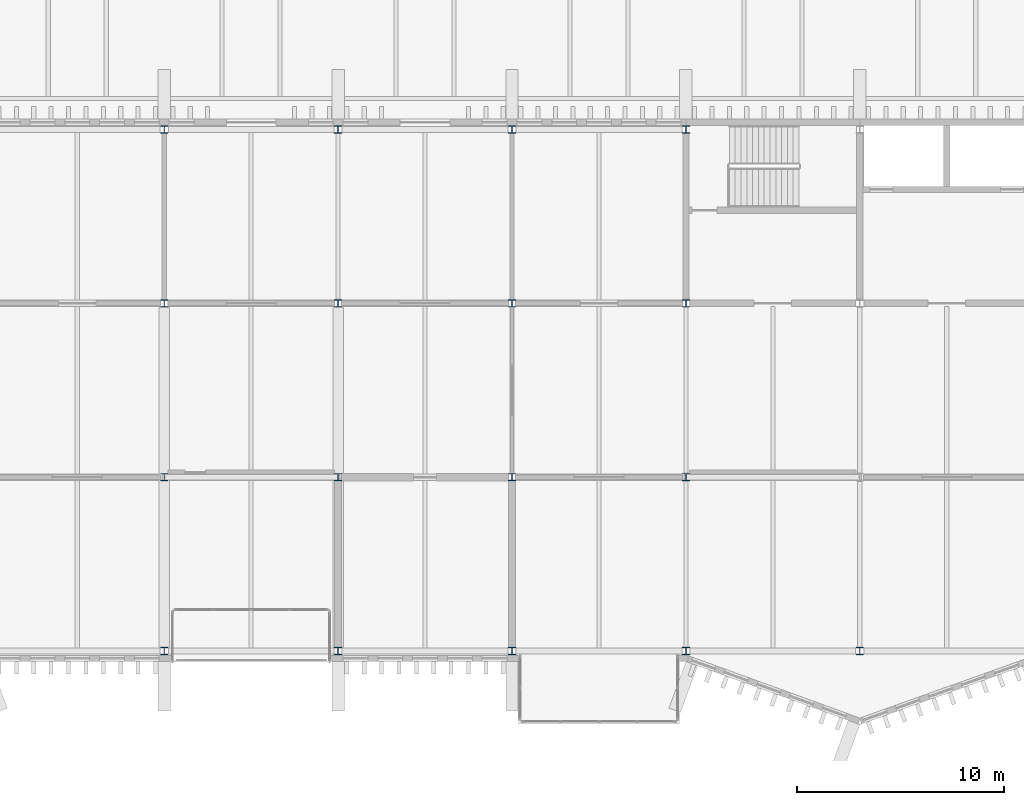
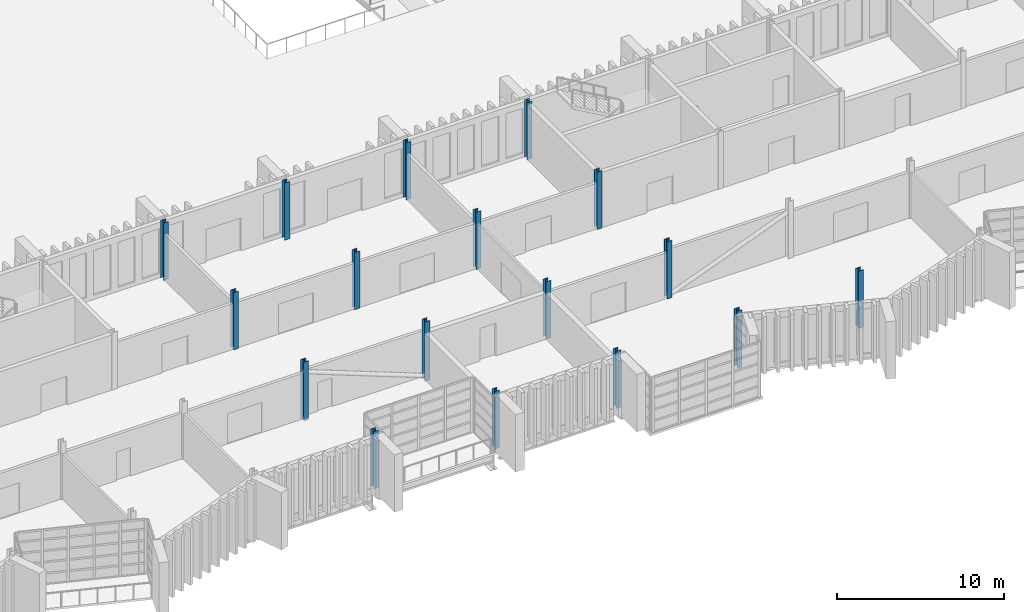
# One storey, part 4 of 96: 17 columns.
"""IFC4 building model written with IfcOpenShell, lengths in metres."""

from ifc_helpers import new_model, si_unit, direction, frame, origin, origin_2d, place, context, subcontext, project, spatial, i_section, extrude, material, material_profile, profile_set, type_object, element, save


model = new_model("IFC4")

# Units and contexts
model_context = context("Model", 3, precision=1e-05, world=origin(), true_north=direction((0.0, 1.0)))
body_context = subcontext(model_context, "Body", "Model", "MODEL_VIEW")
ifc_project = project(units=[si_unit("LENGTHUNIT", "METRE"), si_unit("AREAUNIT", "SQUARE_METRE"), si_unit("VOLUMEUNIT", "CUBIC_METRE"), si_unit("PLANEANGLEUNIT", "RADIAN"), si_unit("MASSUNIT", "GRAM", prefix="KILO")], contexts=[model_context])

# Site, building, storey
site_placement = place(None, origin())
site = spatial("IfcSite", under=ifc_project, at=site_placement, CompositionType="ELEMENT")
building_placement = place(site_placement, origin())
building = spatial("IfcBuilding", under=site, at=building_placement, Name="Cresset Court Congress Hotel", CompositionType="ELEMENT")
storey_placement = place(building_placement, frame((0.0, 0.0, 6.0)))
storey = spatial("IfcBuildingStorey", under=building, at=storey_placement, Name="L01", CompositionType="ELEMENT", Elevation=6.0)

# Columns
ifc_material = material(Name="Structural steel Q355B", Category="steel")
ifc_material_profile = material_profile(ifc_material, i_section(OverallWidth=0.35009765625, OverallDepth=0.35009765625, WebThickness=0.011962890625, FlangeThickness=0.01904296875, FilletRadius=0.012939453125, at=origin_2d()), Name="HW350x350x12x19")
ifc_profile_set = profile_set([ifc_material_profile], Name="Structural steel Q355B")
column_type = type_object("IfcColumnType", Name="Steel column HW350x350x12x19", PredefinedType="COLUMN", material=ifc_profile_set)
column_1_placement = place(storey_placement, frame((75.60009765625, 0.0, 0.0), z_axis=(0.0, 0.0, 1.0), x_axis=(1.0, 0.0, 0.0)))
element("IfcColumn", 1, at=column_1_placement, inside=storey, type_object=column_type, Name="B.col.L01.10A", PredefinedType="COLUMN", context=body_context, shape_type="SweptSolid", body=[
    extrude(i_section(OverallWidth=0.35009765625, OverallDepth=0.35009765625, WebThickness=0.011962890625, FlangeThickness=0.01904296875, FilletRadius=0.012939453125, at=origin_2d()), origin(), (0.0, 0.0, 1.0), 4.199951171875),
])
column_2_placement = place(storey_placement, frame((75.60009765625, 8.39990234375, -0.14990234375), z_axis=(0.0, 0.0, 1.0), x_axis=(1.0, 0.0, 0.0)))
element("IfcColumn", 2, at=column_2_placement, inside=storey, type_object=column_type, Name="B.col.L01.10B", PredefinedType="COLUMN", context=body_context, shape_type="SweptSolid", body=[
    extrude(i_section(OverallWidth=0.35009765625, OverallDepth=0.35009765625, WebThickness=0.011962890625, FlangeThickness=0.01904296875, FilletRadius=0.012939453125, at=origin_2d()), origin(), (0.0, 0.0, 1.0), 4.349853515625),
])
for number, where, z_axis, x_axis, name in (
    (3, (75.60009765625, 16.800048828125, 0.0), (0.0, 0.0, 1.0), (1.0, 0.0, 0.0), "B.col.L01.10C"),
    (4, (75.60009765625, 25.199951171875, 0.0), (0.0, 0.0, 1.0), (1.0, 0.0, 0.0), "B.col.L01.10D"),
    (5, (84.0, 0.0, 0.0), (0.0, 0.0, 1.0), (1.0, 0.0, 0.0), "B.col.L01.11A"),
):
    element("IfcColumn", number, at=place(storey_placement, frame(where, z_axis=z_axis, x_axis=x_axis)), inside=storey, type_object=column_type, Name=name, PredefinedType="COLUMN", context=body_context, shape_type="SweptSolid", body=[
        extrude(i_section(OverallWidth=0.35009765625, OverallDepth=0.35009765625, WebThickness=0.011962890625, FlangeThickness=0.01904296875, FilletRadius=0.012939453125, at=origin_2d()), origin(), (0.0, 0.0, 1.0), 4.199951171875),
    ])
column_3_placement = place(storey_placement, frame((84.0, 8.39990234375, -0.14990234375), z_axis=(0.0, 0.0, 1.0), x_axis=(1.0, 0.0, 0.0)))
element("IfcColumn", 6, at=column_3_placement, inside=storey, type_object=column_type, Name="B.col.L01.11B", PredefinedType="COLUMN", context=body_context, shape_type="SweptSolid", body=[
    extrude(i_section(OverallWidth=0.35009765625, OverallDepth=0.35009765625, WebThickness=0.011962890625, FlangeThickness=0.01904296875, FilletRadius=0.012939453125, at=origin_2d()), origin(), (0.0, 0.0, 1.0), 4.349853515625),
])
for number, where, z_axis, x_axis, name in (
    (7, (84.0, 16.800048828125, 0.0), (0.0, 0.0, 1.0), (1.0, 0.0, 0.0), "B.col.L01.11C"),
    (8, (84.0, 25.199951171875, 0.0), (0.0, 0.0, 1.0), (1.0, 0.0, 0.0), "B.col.L01.11D"),
    (9, (92.39990234375, 0.0, 0.0), (0.0, 0.0, 1.0), (1.0, 0.0, 0.0), "B.col.L01.12A"),
    (10, (92.39990234375, 8.39990234375, 0.0), (0.0, 0.0, 1.0), (1.0, 0.0, 0.0), "B.col.L01.12B"),
    (11, (92.39990234375, 16.800048828125, 0.0), (0.0, 0.0, 1.0), (1.0, 0.0, 0.0), "B.col.L01.12C"),
    (12, (92.39990234375, 25.199951171875, 0.0), (0.0, 0.0, 1.0), (1.0, 0.0, 0.0), "B.col.L01.12D"),
    (13, (100.800048828125, 0.0, 0.0), (0.0, 0.0, 1.0), (1.0, 0.0, 0.0), "B.col.L01.13A"),
    (14, (100.800048828125, 8.39990234375, 0.0), (0.0, 0.0, 1.0), (1.0, 0.0, 0.0), "B.col.L01.13B"),
    (15, (100.800048828125, 16.800048828125, 0.0), (0.0, 0.0, 1.0), (1.0, 0.0, 0.0), "B.col.L01.13C"),
    (16, (100.800048828125, 25.199951171875, 0.0), (0.0, 0.0, 1.0), (1.0, 0.0, 0.0), "B.col.L01.13D"),
    (17, (109.199951171875, 0.0, 0.0), (0.0, 0.0, 1.0), (1.0, 0.0, 0.0), "B.col.L01.14A"),
):
    element("IfcColumn", number, at=place(storey_placement, frame(where, z_axis=z_axis, x_axis=x_axis)), inside=storey, type_object=column_type, Name=name, PredefinedType="COLUMN", context=body_context, shape_type="SweptSolid", body=[
        extrude(i_section(OverallWidth=0.35009765625, OverallDepth=0.35009765625, WebThickness=0.011962890625, FlangeThickness=0.01904296875, FilletRadius=0.012939453125, at=origin_2d()), origin(), (0.0, 0.0, 1.0), 4.199951171875),
    ])

save(model, "model.ifc")
